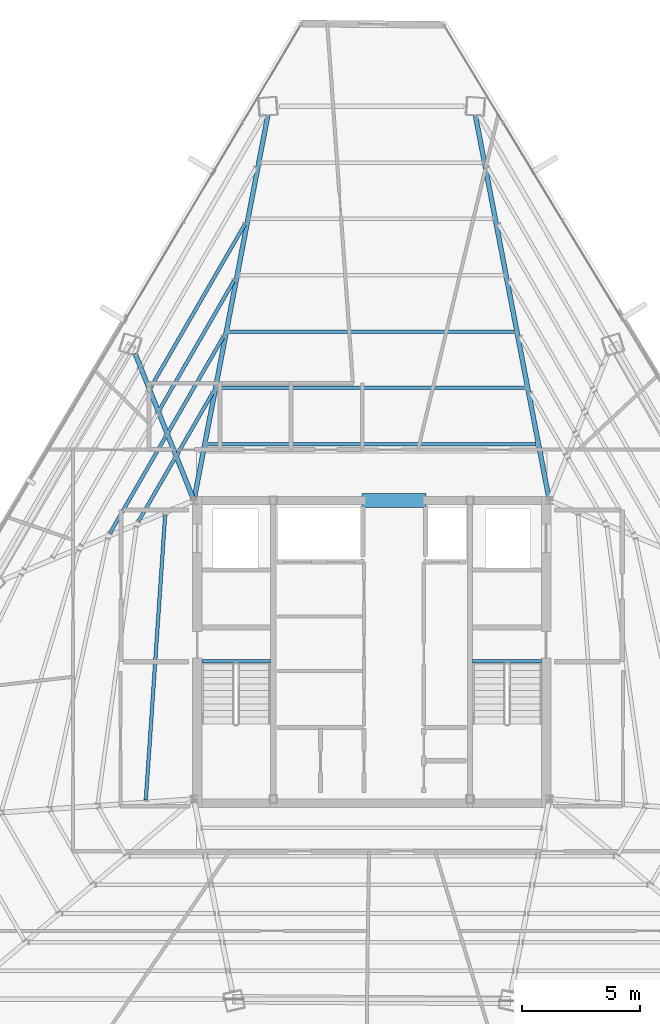
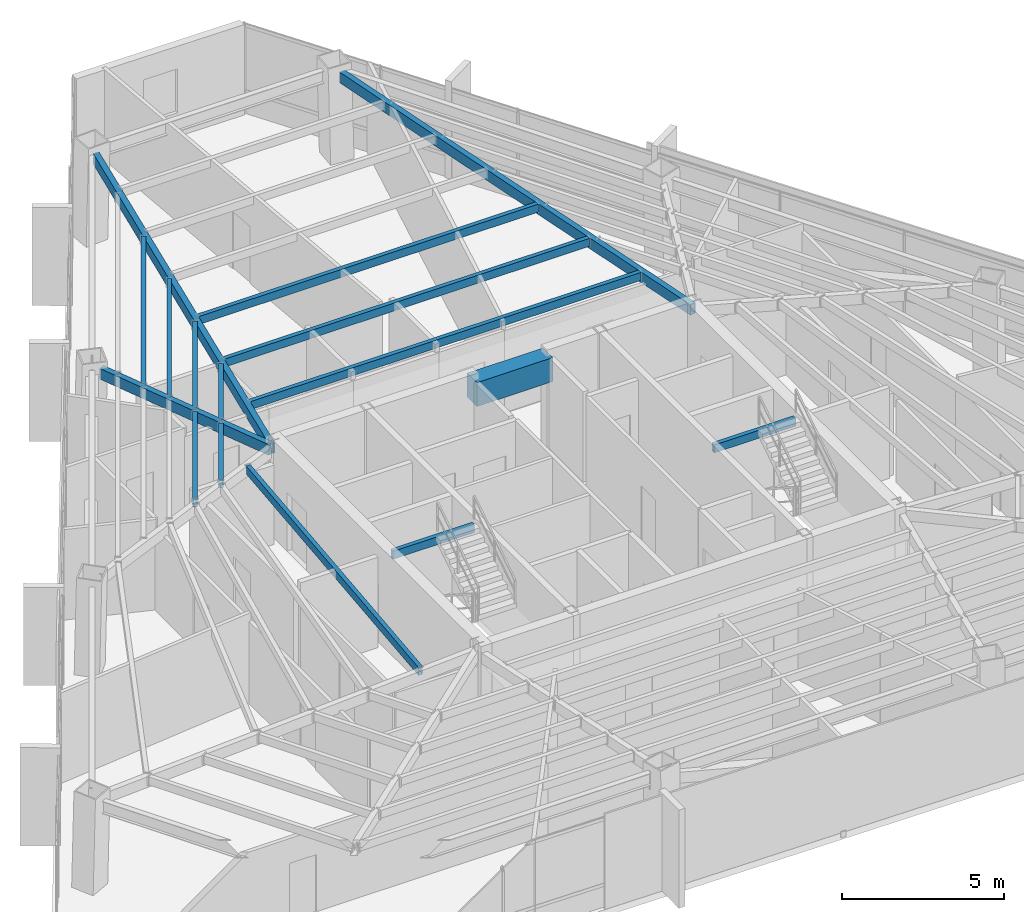
# One storey, part 20 of 49: 16 beams.
"""IFC4 building model written with IfcOpenShell, lengths in metres."""

from ifc_helpers import new_model, si_unit, direction, frame, origin, origin_2d, place, context, subcontext, project, spatial, rectangle, hollow_rectangle, extrude, source, transform, mapped, material, material_profile, profile_set, type_object, type_shapes, element, save


model = new_model("IFC4")

# Units and contexts
model_context = context("Model", 3, precision=1e-05, world=origin(), true_north=direction((0.0, 1.0)))
body_context = subcontext(model_context, "Body", "Model", "MODEL_VIEW")
ifc_project = project(units=[si_unit("LENGTHUNIT", "METRE"), si_unit("AREAUNIT", "SQUARE_METRE"), si_unit("VOLUMEUNIT", "CUBIC_METRE"), si_unit("PLANEANGLEUNIT", "RADIAN"), si_unit("MASSUNIT", "GRAM", prefix="KILO")], contexts=[model_context])

# Site, building, storey
site_placement = place(None, origin())
site = spatial("IfcSite", under=ifc_project, at=site_placement, CompositionType="ELEMENT")
building_placement = place(site_placement, origin())
building = spatial("IfcBuilding", under=site, at=building_placement, Name="Caelisora Broadcast Tower", CompositionType="ELEMENT")
storey_placement = place(building_placement, frame((0.0, 0.0, 233.5)))
storey = spatial("IfcBuildingStorey", under=building, at=storey_placement, Name="L61", CompositionType="ELEMENT", Elevation=233.5)

# Beams
ifc_material_1 = material(Name="Steel Grade 350 (AS/NZS 1163 C350L0)", Category="steel")
ifc_material_profile_1 = material_profile(ifc_material_1, hollow_rectangle(XDim=0.14990234375, YDim=0.300048828125, WallThickness=0.010009765625, at=origin_2d()), Name="Steel Grade 350 (AS/NZS 1163 C350L0)")
ifc_profile_set_1 = profile_set([ifc_material_profile_1], Name="Steel Grade 350 (AS/NZS 1163 C350L0)")
beam_type_1 = type_object("IfcBeamType", Name="SB05", PredefinedType="JOIST", material=ifc_profile_set_1)
shared_shape_1 = source(origin(), body_context, "Body", "SweptSolid", [
    extrude(hollow_rectangle(XDim=0.14990234375, YDim=0.300048828125, WallThickness=0.010009765625, at=origin_2d()), origin(), (0.0, 0.0, 1.0), 2.89990234375),
])
for number, where, z_axis, x_axis, name in (
    (1, (30.840087890625, 23.219970703125, 3.25), (1.0, 0.0, 0.0), (0.0, 1.0, 0.0), "L61 beam SB05"),
    (2, (42.260009765625, 23.219970703125, 3.25), (1.0, 0.0, 0.0), (0.0, 1.0, 0.0), "L61 beam SB05"),
):
    element("IfcBeam", number, at=place(storey_placement, frame(where, z_axis=z_axis, x_axis=x_axis)), inside=storey, type_object=beam_type_1, Name=name, PredefinedType="JOIST", context=body_context, shape_type="MappedRepresentation", body=[
        mapped(shared_shape_1, transform((0.0, 0.0, 0.0), scale=1.0)),
    ])
ifc_material_2 = material(Name="Concrete 50 MPa (AS 3600 S50)", Category="concrete")
ifc_material_profile_2 = material_profile(ifc_material_2, rectangle(XDim=0.60009765625, YDim=0.89990234375, at=origin_2d()), Name="Concrete 50 MPa (AS 3600 S50)")
ifc_profile_set_2 = profile_set([ifc_material_profile_2], Name="Concrete 50 MPa (AS 3600 S50)")
beam_type_2 = type_object("IfcBeamType", Name="CB02", PredefinedType="LINTEL", material=ifc_profile_set_2)
shared_shape_2 = source(origin(), body_context, "Body", "SweptSolid", [
    extrude(rectangle(XDim=0.60009765625, YDim=0.89990234375, at=origin_2d()), origin(), (0.0, 0.0, 1.0), 2.699951171875),
])
type_shapes(beam_type_2, [shared_shape_2])
beam_1_placement = place(storey_placement, frame((37.60009765625, 30.0, 2.949951171875), z_axis=(1.0, 0.0, 0.0), x_axis=(0.0, 1.0, 0.0)))
element("IfcBeam", 3, at=beam_1_placement, inside=storey, type_object=beam_type_2, Name="L61 beam CB02", PredefinedType="LINTEL", context=body_context, shape_type="MappedRepresentation", body=[
    mapped(shared_shape_2, transform((0.0, 0.0, 0.0), scale=1.0)),
])
ifc_material_profile_3 = material_profile(ifc_material_1, hollow_rectangle(XDim=0.199951171875, YDim=0.39990234375, WallThickness=0.012451171875, at=origin_2d()), Name="Steel Grade 350 (AS/NZS 1163 C350L0)")
ifc_profile_set_3 = profile_set([ifc_material_profile_3], Name="Steel Grade 350 (AS/NZS 1163 C350L0)")
beam_type_3 = type_object("IfcBeamType", Name="PG07", PredefinedType="BEAM", material=ifc_profile_set_3)
shared_shape_3 = source(origin(), body_context, "Body", "SweptSolid", [
    extrude(hollow_rectangle(XDim=0.199951171875, YDim=0.39990234375, WallThickness=0.012451171875, at=origin_2d()), origin(), (0.0, 0.0, 1.0), 16.508544921875),
])
for number, where, z_axis, x_axis, name in (
    (4, (45.48876953125, 30.058837890625, 3.199951171875), (-0.188511146083, 0.982071050282, 0.0), (-0.982071050282, -0.188511146083, 0.0), "L61 beam PG07"),
    (5, (30.51123046875, 30.058837890625, 3.199951171875), (0.188511146083, 0.982071050282, 0.0), (-0.982071050282, 0.188511146083, 0.0), "L61 beam PG07"),
):
    element("IfcBeam", number, at=place(storey_placement, frame(where, z_axis=z_axis, x_axis=x_axis)), inside=storey, type_object=beam_type_3, Name=name, PredefinedType="BEAM", context=body_context, shape_type="MappedRepresentation", body=[
        mapped(shared_shape_3, transform((0.0, 0.0, 0.0), scale=1.0)),
    ])
shared_shape_4 = source(origin(), body_context, "Body", "SweptSolid", [
    extrude(hollow_rectangle(XDim=0.199951171875, YDim=0.39990234375, WallThickness=0.012451171875, at=origin_2d()), origin(), (0.0, 0.0, 1.0), 6.632568359375),
])
type_shapes(beam_type_3, [shared_shape_3, shared_shape_4])
beam_2_placement = place(storey_placement, frame((30.477783203125, 30.0556640625, 3.199951171875), z_axis=(-0.371219317533, 0.928545216072, 0.0), x_axis=(-0.928545216072, -0.371219317533, 0.0)))
element("IfcBeam", 6, at=beam_2_placement, inside=storey, type_object=beam_type_3, Name="L61 beam PG07", PredefinedType="BEAM", context=body_context, shape_type="MappedRepresentation", body=[
    mapped(shared_shape_4, transform((0.0, 0.0, 0.0), scale=1.0)),
])
shared_shape_5 = source(origin(), body_context, "Body", "SweptSolid", [
    extrude(hollow_rectangle(XDim=0.14990234375, YDim=0.300048828125, WallThickness=0.010009765625, at=origin_2d()), origin(), (0.0, 0.0, 1.0), 13.8896484375),
])
beam_3_placement = place(storey_placement, frame((44.94482421875, 32.377197265625, 3.25), z_axis=(-1.0, 0.0, 0.0), x_axis=(0.0, -1.0, 0.0)))
element("IfcBeam", 7, at=beam_3_placement, inside=storey, type_object=beam_type_1, Name="L61 beam SB05", PredefinedType="JOIST", context=body_context, shape_type="MappedRepresentation", body=[
    mapped(shared_shape_5, transform((0.0, 0.0, 0.0), scale=1.0)),
])
shared_shape_6 = source(origin(), body_context, "Body", "SweptSolid", [
    extrude(hollow_rectangle(XDim=0.14990234375, YDim=0.300048828125, WallThickness=0.010009765625, at=origin_2d()), origin(), (0.0, 0.0, 1.0), 12.97705078125),
])
beam_4_placement = place(storey_placement, frame((44.488525390625, 34.75439453125, 3.25), z_axis=(-1.0, 0.0, 0.0), x_axis=(0.0, -1.0, 0.0)))
element("IfcBeam", 8, at=beam_4_placement, inside=storey, type_object=beam_type_1, Name="L61 beam SB05", PredefinedType="JOIST", context=body_context, shape_type="MappedRepresentation", body=[
    mapped(shared_shape_6, transform((0.0, 0.0, 0.0), scale=1.0)),
])
shared_shape_7 = source(origin(), body_context, "Body", "SweptSolid", [
    extrude(hollow_rectangle(XDim=0.14990234375, YDim=0.300048828125, WallThickness=0.010009765625, at=origin_2d()), origin(), (0.0, 0.0, 1.0), 12.064453125),
])
beam_5_placement = place(storey_placement, frame((44.0322265625, 37.1318359375, 3.25), z_axis=(-1.0, 0.0, 0.0), x_axis=(0.0, -1.0, 0.0)))
element("IfcBeam", 9, at=beam_5_placement, inside=storey, type_object=beam_type_1, Name="L61 beam SB05", PredefinedType="JOIST", context=body_context, shape_type="MappedRepresentation", body=[
    mapped(shared_shape_7, transform((0.0, 0.0, 0.0), scale=1.0)),
])
shared_shape_8 = source(origin(), body_context, "Body", "SweptSolid", [
    extrude(hollow_rectangle(XDim=0.14990234375, YDim=0.300048828125, WallThickness=0.010009765625, at=origin_2d()), origin(), (0.0, 0.0, 1.0), 2.940185546875),
])
beam_6_placement = place(storey_placement, frame((31.282470703125, 34.529296875, 3.25), z_axis=(-0.49995246343, -0.866052847297, 0.0), x_axis=(0.866052847297, -0.49995246343, 0.0)))
element("IfcBeam", 10, at=beam_6_placement, inside=storey, type_object=beam_type_1, Name="L61 beam SB05", PredefinedType="JOIST", context=body_context, shape_type="MappedRepresentation", body=[
    mapped(shared_shape_8, transform((0.0, 0.0, 0.0), scale=1.0)),
])
shared_shape_9 = source(origin(), body_context, "Body", "SweptSolid", [
    extrude(hollow_rectangle(XDim=0.14990234375, YDim=0.300048828125, WallThickness=0.010009765625, at=origin_2d()), origin(), (0.0, 0.0, 1.0), 4.602783203125),
])
beam_7_placement = place(storey_placement, frame((31.73876953125, 36.906494140625, 3.25), z_axis=(-0.499984172718, -0.866034541477, 0.0), x_axis=(0.866034541477, -0.499984172718, 0.0)))
element("IfcBeam", 11, at=beam_7_placement, inside=storey, type_object=beam_type_1, Name="L61 beam SB05", PredefinedType="JOIST", context=body_context, shape_type="MappedRepresentation", body=[
    mapped(shared_shape_9, transform((0.0, 0.0, 0.0), scale=1.0)),
])
shared_shape_10 = source(origin(), body_context, "Body", "SweptSolid", [
    extrude(hollow_rectangle(XDim=0.14990234375, YDim=0.300048828125, WallThickness=0.010009765625, at=origin_2d()), origin(), (0.0, 0.0, 1.0), 6.264892578125),
])
beam_8_placement = place(storey_placement, frame((32.1953125, 39.28369140625, 3.25), z_axis=(-0.500015927702, -0.866016207726, 0.0), x_axis=(0.866016207726, -0.500015927702, 0.0)))
element("IfcBeam", 12, at=beam_8_placement, inside=storey, type_object=beam_type_1, Name="L61 beam SB05", PredefinedType="JOIST", context=body_context, shape_type="MappedRepresentation", body=[
    mapped(shared_shape_10, transform((0.0, 0.0, 0.0), scale=1.0)),
])
shared_shape_11 = source(origin(), body_context, "Body", "SweptSolid", [
    extrude(hollow_rectangle(XDim=0.14990234375, YDim=0.300048828125, WallThickness=0.010009765625, at=origin_2d()), origin(), (0.0, 0.0, 1.0), 7.927001953125),
])
beam_9_placement = place(storey_placement, frame((32.651611328125, 41.660888671875, 3.25), z_axis=(-0.500011267088, -0.86601889863, 0.0), x_axis=(0.86601889863, -0.500011267088, 0.0)))
element("IfcBeam", 13, at=beam_9_placement, inside=storey, type_object=beam_type_1, Name="L61 beam SB05", PredefinedType="JOIST", context=body_context, shape_type="MappedRepresentation", body=[
    mapped(shared_shape_11, transform((0.0, 0.0, 0.0), scale=1.0)),
])
shared_shape_12 = source(origin(), body_context, "Body", "SweptSolid", [
    extrude(hollow_rectangle(XDim=0.14990234375, YDim=0.300048828125, WallThickness=0.010009765625, at=origin_2d()), origin(), (0.0, 0.0, 1.0), 3.03857421875),
])
beam_10_placement = place(storey_placement, frame((29.68798828125, 31.767578125, 3.25), z_axis=(-0.499984420002, -0.866034398714, 0.0), x_axis=(0.866034398714, -0.499984420002, 0.0)))
element("IfcBeam", 14, at=beam_10_placement, inside=storey, type_object=beam_type_1, Name="L61 beam SB05", PredefinedType="JOIST", context=body_context, shape_type="MappedRepresentation", body=[
    mapped(shared_shape_12, transform((0.0, 0.0, 0.0), scale=1.0)),
])
shared_shape_13 = source(origin(), body_context, "Body", "SweptSolid", [
    extrude(hollow_rectangle(XDim=0.14990234375, YDim=0.300048828125, WallThickness=0.010009765625, at=origin_2d()), origin(), (0.0, 0.0, 1.0), 4.701171875),
])
beam_11_placement = place(storey_placement, frame((29.313232421875, 32.705078125, 3.25), z_axis=(-0.500004164094, -0.86602299963, 0.0), x_axis=(0.86602299963, -0.500004164094, 0.0)))
element("IfcBeam", 15, at=beam_11_placement, inside=storey, type_object=beam_type_1, Name="L61 beam SB05", PredefinedType="JOIST", context=body_context, shape_type="MappedRepresentation", body=[
    mapped(shared_shape_13, transform((0.0, 0.0, 0.0), scale=1.0)),
])
shared_shape_14 = source(origin(), body_context, "Body", "SweptSolid", [
    extrude(hollow_rectangle(XDim=0.14990234375, YDim=0.300048828125, WallThickness=0.010009765625, at=origin_2d()), origin(), (0.0, 0.0, 1.0), 12.061279296875),
])
type_shapes(beam_type_1, [shared_shape_1, shared_shape_5, shared_shape_6, shared_shape_7, shared_shape_8, shared_shape_9, shared_shape_10, shared_shape_11, shared_shape_12, shared_shape_13, shared_shape_14])
beam_12_placement = place(storey_placement, frame((29.28662109375, 29.389404296875, 3.25), z_axis=(-0.067749594992, -0.997702356607, 0.0), x_axis=(0.997702356607, -0.067749594992, 0.0)))
element("IfcBeam", 16, at=beam_12_placement, inside=storey, type_object=beam_type_1, Name="L61 beam SB05", PredefinedType="JOIST", context=body_context, shape_type="MappedRepresentation", body=[
    mapped(shared_shape_14, transform((0.0, 0.0, 0.0), scale=1.0)),
])

save(model, "model.ifc")
